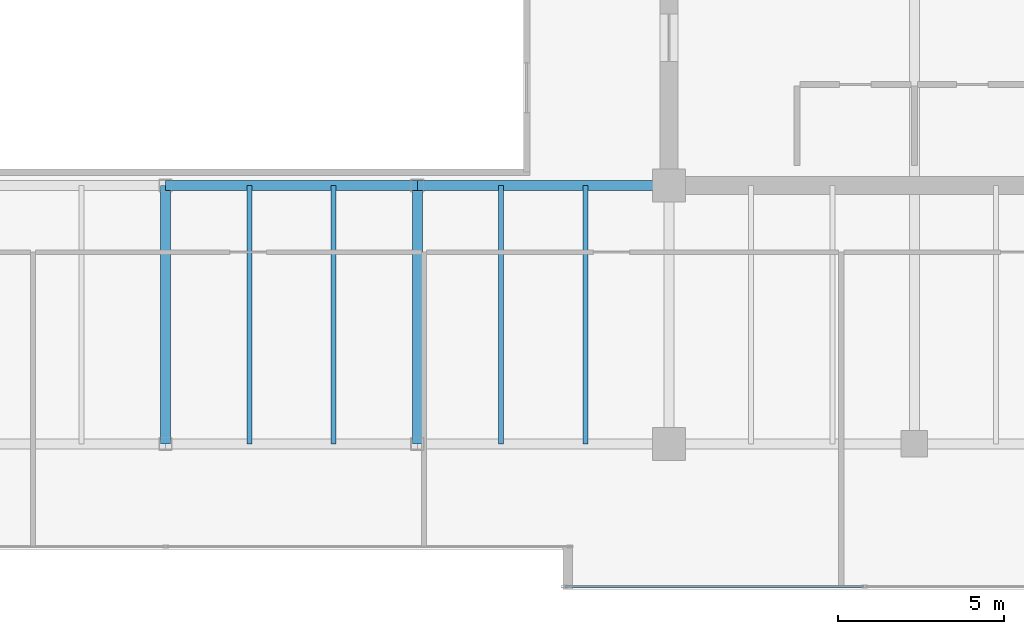
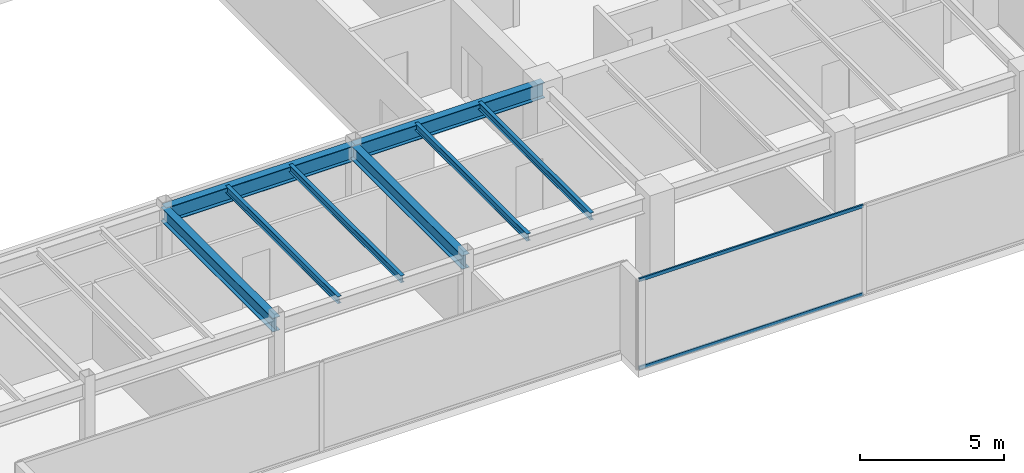
# One storey, part 12 of 33: 8 beams, 2 members, 1 element without a shape of its own.
"""IFC4 building model written with IfcOpenShell, lengths in metres."""

from ifc_helpers import new_model, si_unit, direction, frame, origin, origin_2d, place, context, subcontext, project, spatial, hollow_rectangle, i_section, extrude, source, transform, mapped, material, layer, layer_set, material_profile, profile_set, type_object, type_shapes, element, aggregate, save


model = new_model("IFC4")

# Units and contexts
model_context = context("Model", 3, precision=1e-05, world=origin(), true_north=direction((0.0, 1.0)))
body_context = subcontext(model_context, "Body", "Model", "MODEL_VIEW")
ifc_project = project(units=[si_unit("LENGTHUNIT", "METRE"), si_unit("AREAUNIT", "SQUARE_METRE"), si_unit("VOLUMEUNIT", "CUBIC_METRE"), si_unit("PLANEANGLEUNIT", "RADIAN"), si_unit("MASSUNIT", "GRAM", prefix="KILO")], contexts=[model_context])

# Site, building, storey
site_placement = place(None, origin())
site = spatial("IfcSite", under=ifc_project, at=site_placement, CompositionType="ELEMENT")
building_placement = place(site_placement, origin())
building = spatial("IfcBuilding", under=site, at=building_placement, Name="Haelvirn Gate Laboratories", CompositionType="ELEMENT")
storey_placement = place(building_placement, frame((0.0, 0.0, 209.60009765625)))
storey = spatial("IfcBuildingStorey", under=building, at=storey_placement, Name="L50", CompositionType="ELEMENT", Elevation=209.60009765625)

# Beams
ifc_material_1 = material(Name="Steel SM355", Category="steel")
ifc_material_profile_1 = material_profile(ifc_material_1, i_section(OverallWidth=0.14990234375, OverallDepth=0.300048828125, WebThickness=0.006591796875, FlangeThickness=0.009033203125, at=origin_2d()), Name="H-300x150x6.5x9")
ifc_profile_set_1 = profile_set([ifc_material_profile_1], Name="Steel SM355")
beam_type_1 = type_object("IfcBeamType", Name="BM-J-300", PredefinedType="JOIST", material=ifc_profile_set_1)
shared_shape_1 = source(origin(), body_context, "Body", "SweptSolid", [
    extrude(i_section(OverallWidth=0.14990234375, OverallDepth=0.300048828125, WebThickness=0.006591796875, FlangeThickness=0.009033203125, at=origin_2d()), origin(), (0.0, 0.0, 1.0), 7.800048828125),
])
type_shapes(beam_type_1, [shared_shape_1])
for number, where, z_axis, x_axis, name in (
    (1, (39.929931640625, 7.0, 3.64990234375), (0.0, 1.0, 0.0), (-1.0, 0.0, 0.0), "L50 Composite Lab Joist South X39.93"),
    (2, (42.469970703125, 7.0, 3.64990234375), (0.0, 1.0, 0.0), (-1.0, 0.0, 0.0), "L50 Composite Lab Joist South X42.47"),
    (3, (47.530029296875, 7.0, 3.64990234375), (0.0, 1.0, 0.0), (-1.0, 0.0, 0.0), "L50 Composite Lab Joist South X47.53"),
    (4, (50.070068359375, 7.0, 3.64990234375), (0.0, 1.0, 0.0), (-1.0, 0.0, 0.0), "L50 Composite Lab Joist South X50.07"),
):
    element("IfcBeam", number, at=place(storey_placement, frame(where, z_axis=z_axis, x_axis=x_axis)), inside=storey, type_object=beam_type_1, Name=name, PredefinedType="JOIST", context=body_context, shape_type="MappedRepresentation", body=[
        mapped(shared_shape_1, transform((0.0, 0.0, 0.0), scale=1.0)),
    ])
ifc_material_profile_2 = material_profile(ifc_material_1, i_section(OverallWidth=0.300048828125, OverallDepth=0.587890625, WebThickness=0.011962890625, FlangeThickness=0.02001953125, at=origin_2d()), Name="H-588x300x12x20")
ifc_profile_set_2 = profile_set([ifc_material_profile_2], Name="Steel SM355")
beam_type_2 = type_object("IfcBeamType", Name="BM-G-588", PredefinedType="BEAM", material=ifc_profile_set_2)
shared_shape_2 = source(origin(), body_context, "Body", "SweptSolid", [
    extrude(i_section(OverallWidth=0.300048828125, OverallDepth=0.587890625, WebThickness=0.011962890625, FlangeThickness=0.02001953125, at=origin_2d()), origin(), (0.0, 0.0, 1.0), 7.800048828125),
])
type_shapes(beam_type_2, [shared_shape_2])
for number, where, z_axis, x_axis, name in (
    (5, (37.39990234375, 7.0, 3.505859375), (0.0, 1.0, 0.0), (-1.0, 0.0, 0.0), "L50 Frame Girder X37.4 (7.0-14.8)"),
    (6, (45.0, 7.0, 3.505859375), (0.0, 1.0, 0.0), (-1.0, 0.0, 0.0), "L50 Frame Girder X45.0 (7.0-14.8)"),
):
    element("IfcBeam", number, at=place(storey_placement, frame(where, z_axis=z_axis, x_axis=x_axis)), inside=storey, type_object=beam_type_2, Name=name, PredefinedType="BEAM", context=body_context, shape_type="MappedRepresentation", body=[
        mapped(shared_shape_2, transform((0.0, 0.0, 0.0), scale=1.0)),
    ])
ifc_material_profile_3 = material_profile(ifc_material_1, i_section(OverallWidth=0.300048828125, OverallDepth=0.64990234375, WebThickness=0.012939453125, FlangeThickness=0.02197265625, at=origin_2d()), Name="H-650x300x13x22")
ifc_profile_set_3 = profile_set([ifc_material_profile_3], Name="Steel SM355")
beam_type_3 = type_object("IfcBeamType", Name="BM-G-650", PredefinedType="BEAM", material=ifc_profile_set_3)
shared_shape_3 = source(origin(), body_context, "Body", "SweptSolid", [
    extrude(i_section(OverallWidth=0.300048828125, OverallDepth=0.64990234375, WebThickness=0.012939453125, FlangeThickness=0.02197265625, at=origin_2d()), origin(), (0.0, 0.0, 1.0), 7.60009765625),
])
type_shapes(beam_type_3, [shared_shape_3])
for number, where, z_axis, x_axis, name in (
    (7, (37.39990234375, 14.800048828125, 3.474853515625), (1.0, 0.0, 0.0), (0.0, 1.0, 0.0), "L50 Primary Girder Y14.8 (37.4-45.0)"),
    (8, (45.0, 14.800048828125, 3.474853515625), (1.0, 0.0, 0.0), (0.0, 1.0, 0.0), "L50 Primary Girder Y14.8 (45.0-52.6)"),
):
    element("IfcBeam", number, at=place(storey_placement, frame(where, z_axis=z_axis, x_axis=x_axis)), inside=storey, type_object=beam_type_3, Name=name, PredefinedType="BEAM", context=body_context, shape_type="MappedRepresentation", body=[
        mapped(shared_shape_3, transform((0.0, 0.0, 0.0), scale=1.0)),
    ])

# Curtain wall, members
ifc_material_2 = material(Name="Anodised bronze unitised aluminium & triple low-E glass", Category="aluminium")
ifc_layer = layer(ifc_material_2, 0.176025390625, Name="CW-SYS-4")
ifc_layer_set = layer_set([ifc_layer], Name="Anodised bronze unitised aluminium & triple low-E glass")
curtain_wall_type = type_object("IfcCurtainWallType", Name="CW-SYS-4", PredefinedType="NOTDEFINED", material=ifc_layer_set)
curtain_wall_placement = place(storey_placement, origin())
curtain_wall = element("IfcCurtainWall", 9, at=curtain_wall_placement, inside=storey, type_object=curtain_wall_type, Name="L50 Unitised Curtain Wall CW-L50-P0-E04-1", PredefinedType="NOTDEFINED")
ifc_material_3 = material(Name="Extruded aluminium 6063-T6 (anodised bronze)", Category="aluminium")
ifc_material_profile_4 = material_profile(ifc_material_3, hollow_rectangle(XDim=0.06494140625, YDim=0.139892578125, WallThickness=0.00390625, at=origin_2d()), Name="CWT-140x65x4")
ifc_profile_set_4 = profile_set([ifc_material_profile_4], Name="Extruded aluminium 6063-T6 (anodised bronze)")
member_type = type_object("IfcMemberType", Name="CWT-T140", PredefinedType="USERDEFINED", material=ifc_profile_set_4)
shared_shape_4 = source(origin(), body_context, "Body", "SweptSolid", [
    extrude(hollow_rectangle(XDim=0.06494140625, YDim=0.139892578125, WallThickness=0.00390625, at=origin_2d()), origin(), (0.0, 0.0, 1.0), 8.9951171875),
])
type_shapes(member_type, [shared_shape_4])
member_1_placement = place(storey_placement, frame((49.469970703125, 2.699951171875, 0.032470703125), z_axis=(1.0, 0.0, 0.0), x_axis=(0.0, 1.0, 0.0)))
member_1 = element("IfcMember", 10, at=member_1_placement, type_object=member_type, Name="CW4 transom 1.1", ObjectType="TRANSOM", PredefinedType="USERDEFINED", context=body_context, shape_type="MappedRepresentation", body=[
    mapped(shared_shape_4, transform((0.0, 0.0, 0.0), scale=1.0)),
])
member_2_placement = place(storey_placement, frame((49.469970703125, 2.699951171875, 3.767333984375), z_axis=(1.0, 0.0, 0.0), x_axis=(0.0, 1.0, 0.0)))
member_2 = element("IfcMember", 11, at=member_2_placement, type_object=member_type, Name="CW4 transom 1.2", ObjectType="TRANSOM", PredefinedType="USERDEFINED", context=body_context, shape_type="MappedRepresentation", body=[
    mapped(shared_shape_4, transform((0.0, 0.0, 0.0), scale=1.0)),
])
aggregate(curtain_wall, [member_1, member_2])

save(model, "model.ifc")
